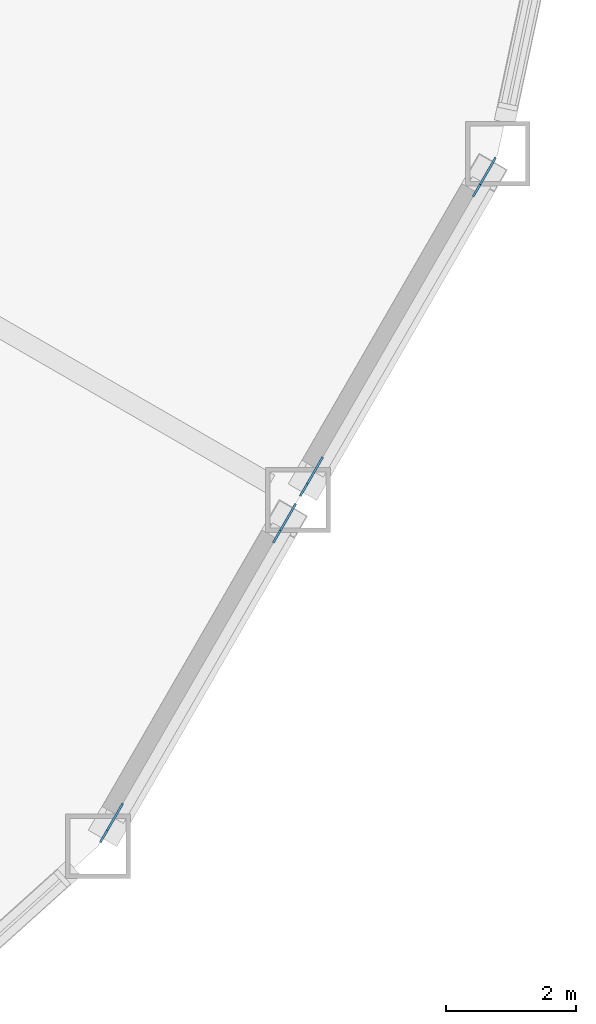
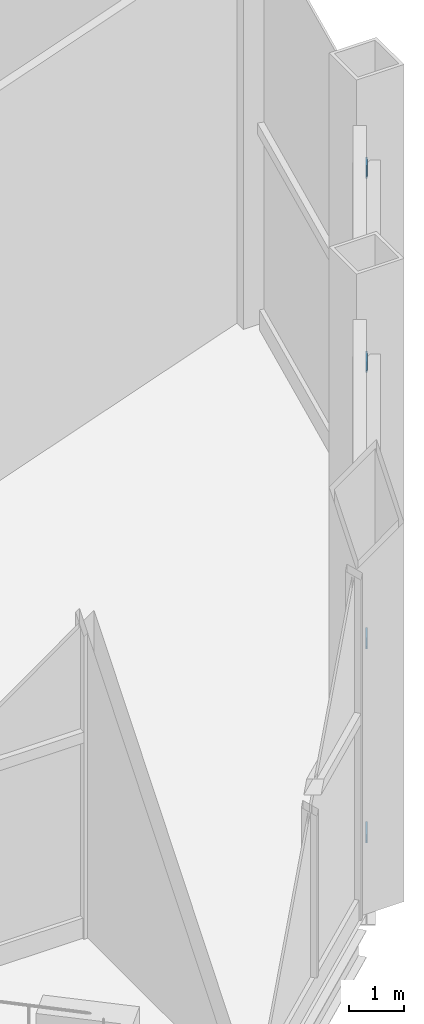
# One storey, part 12 of 17: 4 discrete accessories.
"""IFC4 building model written with IfcOpenShell, lengths in metres."""

from ifc_helpers import new_model, si_unit, direction, frame, origin, origin_2d, place, context, subcontext, project, spatial, rectangle, extrude, material, material_profile, profile_set, type_object, element, save


model = new_model("IFC4")

# Units and contexts
model_context = context("Model", 3, precision=1e-05, world=origin(), true_north=direction((0.0, 1.0)))
body_context = subcontext(model_context, "Body", "Model", "MODEL_VIEW")
ifc_project = project(units=[si_unit("LENGTHUNIT", "METRE"), si_unit("AREAUNIT", "SQUARE_METRE"), si_unit("VOLUMEUNIT", "CUBIC_METRE"), si_unit("PLANEANGLEUNIT", "RADIAN"), si_unit("MASSUNIT", "GRAM", prefix="KILO")], contexts=[model_context])

# Site, building, storey
site_placement = place(None, origin())
site = spatial("IfcSite", under=ifc_project, at=site_placement, CompositionType="ELEMENT")
building_placement = place(site_placement, origin())
building = spatial("IfcBuilding", under=site, at=building_placement, Name="Cormorant Prow Tower", CompositionType="ELEMENT")
storey_placement = place(building_placement, frame((0.0, 0.0, 84.60009765625)))
storey = spatial("IfcBuildingStorey", under=building, at=storey_placement, Name="L18", CompositionType="ELEMENT", Elevation=84.60009765625)

# Discrete accessories
ifc_material = material(Name="Structural steel ASTM A500 Gr C", Category="steel")
ifc_material_profile = material_profile(ifc_material, rectangle(XDim=0.031982421875, YDim=0.60791015625, at=origin_2d()), Name="Gusset plate 32x608")
ifc_profile_set = profile_set([ifc_material_profile], Name="Structural steel ASTM A500 Gr C")
discrete_accessory_type = type_object("IfcDiscreteAccessoryType", Name="Gusset plate 32x608", PredefinedType="BRACKET", material=ifc_profile_set)
discrete_accessory_1_placement = place(storey_placement, frame((25.0927734375, -21.005615234375, 1.26220703125), z_axis=(-0.310529319689, -0.538018214562, -0.783650395529), x_axis=(0.866092063448, -0.499884524299, 0.0)))
element("IfcDiscreteAccessory", 1, at=discrete_accessory_1_placement, inside=storey, type_object=discrete_accessory_type, Name="Gusset plate GP1 L18.ESE00.g0", PredefinedType="BRACKET", context=body_context, shape_type="SweptSolid", body=[
    extrude(rectangle(XDim=0.031982421875, YDim=0.60791015625, at=origin_2d()), origin(), (0.0, 0.0, 1.0), 0.349853515625),
])
discrete_accessory_2_placement = place(storey_placement, frame((27.65283203125, -16.5712890625, 7.726318359375), z_axis=(0.310359571686, 0.537724111843, 0.783919457473), x_axis=(-0.866092063448, 0.499884524299, 0.0)))
element("IfcDiscreteAccessory", 2, at=discrete_accessory_2_placement, inside=storey, type_object=discrete_accessory_type, Name="Gusset plate GP1 L18.ESE00.g1", PredefinedType="BRACKET", context=body_context, shape_type="SweptSolid", body=[
    extrude(rectangle(XDim=0.031982421875, YDim=0.60791015625, at=origin_2d()), origin(), (0.0, 0.0, 1.0), 0.35009765625),
])
discrete_accessory_3_placement = place(storey_placement, frame((28.177490234375, -15.662353515625, 1.26220703125), z_axis=(-0.310529319689, -0.538018214562, -0.783650395529), x_axis=(0.866092063448, -0.499884524299, 0.0)))
element("IfcDiscreteAccessory", 3, at=discrete_accessory_3_placement, inside=storey, type_object=discrete_accessory_type, Name="Gusset plate GP1 L18.ESE01.g0", PredefinedType="BRACKET", context=body_context, shape_type="SweptSolid", body=[
    extrude(rectangle(XDim=0.031982421875, YDim=0.60791015625, at=origin_2d()), origin(), (0.0, 0.0, 1.0), 0.349853515625),
])
discrete_accessory_4_placement = place(storey_placement, frame((30.737548828125, -11.22802734375, 7.726318359375), z_axis=(0.311106194373, 0.537111591181, 0.784043413621), x_axis=(-0.865323680064, 0.501213456245, 0.0)))
element("IfcDiscreteAccessory", 4, at=discrete_accessory_4_placement, inside=storey, type_object=discrete_accessory_type, Name="Gusset plate GP1 L18.ESE01.g1", PredefinedType="BRACKET", context=body_context, shape_type="SweptSolid", body=[
    extrude(rectangle(XDim=0.031982421875, YDim=0.60791015625, at=origin_2d()), origin(), (0.0, 0.0, 1.0), 0.35009765625),
])

save(model, "model.ifc")
